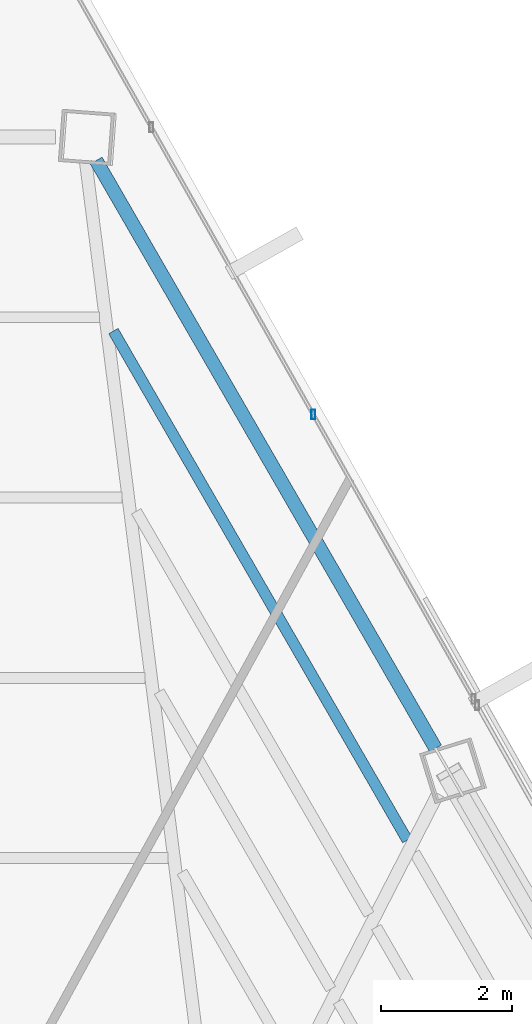
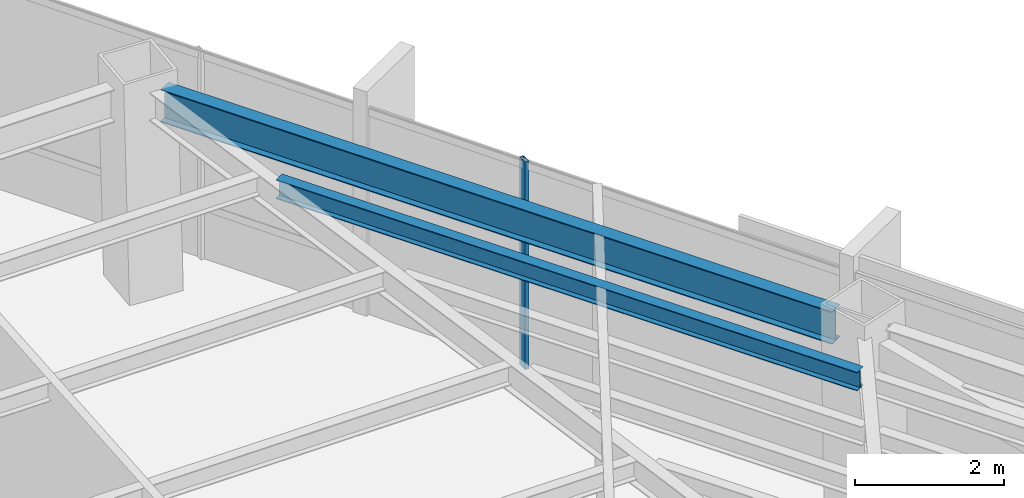
# One storey, part 30 of 42: 2 beams, 1 member, 1 element without a shape of its own.
"""IFC4 building model written with IfcOpenShell, lengths in metres."""

from ifc_helpers import new_model, si_unit, direction, frame, origin, origin_2d, place, context, subcontext, project, spatial, hollow_rectangle, i_section, extrude, source, transform, mapped, material, material_profile, profile_set, type_object, type_shapes, element, aggregate, save


model = new_model("IFC4")

# Units and contexts
model_context = context("Model", 3, precision=1e-05, world=origin(), true_north=direction((0.0, 1.0)))
body_context = subcontext(model_context, "Body", "Model", "MODEL_VIEW")
ifc_project = project(units=[si_unit("LENGTHUNIT", "METRE"), si_unit("AREAUNIT", "SQUARE_METRE"), si_unit("VOLUMEUNIT", "CUBIC_METRE"), si_unit("PLANEANGLEUNIT", "RADIAN"), si_unit("MASSUNIT", "GRAM", prefix="KILO")], contexts=[model_context])

# Site, building, storey
site_placement = place(None, origin())
site = spatial("IfcSite", under=ifc_project, at=site_placement, CompositionType="ELEMENT")
building_placement = place(site_placement, origin())
building = spatial("IfcBuilding", under=site, at=building_placement, Name="Caelisora Broadcast Tower", CompositionType="ELEMENT")
storey_placement = place(building_placement, frame((0.0, 0.0, 187.699951171875)))
storey = spatial("IfcBuildingStorey", under=building, at=storey_placement, Name="L49", CompositionType="ELEMENT", Elevation=187.699951171875)

# Beams
ifc_material_1 = material(Name="Steel Grade 350 (AS/NZS 3679.1)", Category="steel")
ifc_material_profile_1 = material_profile(ifc_material_1, i_section(OverallWidth=0.208984375, OverallDepth=0.532958984375, WebThickness=0.01025390625, FlangeThickness=0.015625, at=origin_2d()), Name="Steel Grade 350 (AS/NZS 3679.1)")
ifc_profile_set_1 = profile_set([ifc_material_profile_1], Name="Steel Grade 350 (AS/NZS 3679.1)")
beam_type_1 = type_object("IfcBeamType", Name="PG05", PredefinedType="BEAM", material=ifc_profile_set_1)
shared_shape_1 = source(origin(), body_context, "Body", "SweptSolid", [
    extrude(i_section(OverallWidth=0.208984375, OverallDepth=0.532958984375, WebThickness=0.01025390625, FlangeThickness=0.015625, at=origin_2d()), origin(), (0.0, 0.0, 1.0), 10.39306640625),
])
type_shapes(beam_type_1, [shared_shape_1])
beam_1_placement = place(storey_placement, frame((48.804443359375, 37.19921875, 3.133544921875), z_axis=(-0.499996963119, 0.866027157121, 0.0), x_axis=(-0.866027157121, -0.499996963119, 0.0)))
element("IfcBeam", 1, at=beam_1_placement, inside=storey, type_object=beam_type_1, Name="L49 beam PG05", PredefinedType="BEAM", context=body_context, shape_type="MappedRepresentation", body=[
    mapped(shared_shape_1, transform((0.0, 0.0, 0.0), scale=1.0)),
])
ifc_material_profile_2 = material_profile(ifc_material_1, i_section(OverallWidth=0.166015625, OverallDepth=0.30712890625, WebThickness=0.006591796875, FlangeThickness=0.01171875, at=origin_2d()), Name="Steel Grade 350 (AS/NZS 3679.1)")
ifc_profile_set_2 = profile_set([ifc_material_profile_2], Name="Steel Grade 350 (AS/NZS 3679.1)")
beam_type_2 = type_object("IfcBeamType", Name="SB03", PredefinedType="JOIST", material=ifc_profile_set_2)
shared_shape_2 = source(origin(), body_context, "Body", "SweptSolid", [
    extrude(i_section(OverallWidth=0.166015625, OverallDepth=0.30712890625, WebThickness=0.006591796875, FlangeThickness=0.01171875, at=origin_2d()), origin(), (0.0, 0.0, 1.0), 9.0),
])
type_shapes(beam_type_2, [shared_shape_2])
beam_2_placement = place(storey_placement, frame((48.371826171875, 35.794921875, 3.246337890625), z_axis=(-0.5000018851, 0.866024315419, 0.0), x_axis=(-0.866024315419, -0.5000018851, 0.0)))
element("IfcBeam", 2, at=beam_2_placement, inside=storey, type_object=beam_type_2, Name="L49 beam SB03", PredefinedType="JOIST", context=body_context, shape_type="MappedRepresentation", body=[
    mapped(shared_shape_2, transform((0.0, 0.0, 0.0), scale=1.0)),
])

# Curtain wall, member
ifc_material_2 = material(Name="Unitised Aluminium and Low-E Glass Curtain Wall", Category="glass")
curtain_wall_type = type_object("IfcCurtainWallType", Name="CW-Z4", PredefinedType="NOTDEFINED", material=ifc_material_2)
curtain_wall_placement = place(storey_placement, origin())
curtain_wall = element("IfcCurtainWall", 3, at=curtain_wall_placement, inside=storey, type_object=curtain_wall_type, Name="L49 curtain wall CW-Z4", PredefinedType="NOTDEFINED")
ifc_material_3 = material(Name="Aluminium 6063-T6 Anodised Terracotta Bronze", Category="aluminium")
ifc_material_profile_3 = material_profile(ifc_material_3, hollow_rectangle(XDim=0.06005859375, YDim=0.14990234375, WallThickness=0.00341796875, at=origin_2d()), Name="Aluminium 6063-T6 Anodised Terracotta Bronze")
ifc_profile_set_3 = profile_set([ifc_material_profile_3], Name="Aluminium 6063-T6 Anodised Terracotta Bronze")
member_type = type_object("IfcMemberType", Name="CWM-03", PredefinedType="MULLION", material=ifc_profile_set_3)
shared_shape_3 = source(origin(), body_context, "Body", "SweptSolid", [
    extrude(hollow_rectangle(XDim=0.06005859375, YDim=0.14990234375, WallThickness=0.00341796875, at=origin_2d()), origin(), (0.0, 0.0, 1.0), 3.400146484375),
])
type_shapes(member_type, [shared_shape_3])
member_placement = place(storey_placement, frame((46.93212890625, 42.310302734375, 0.0), z_axis=(0.0, 0.0, 1.0), x_axis=(1.0, 0.0, 0.0)))
member = element("IfcMember", 4, at=member_placement, type_object=member_type, Name="L49-CW-B01 mullion #2", PredefinedType="MULLION", context=body_context, shape_type="MappedRepresentation", body=[
    mapped(shared_shape_3, transform((0.0, 0.0, 0.0), scale=1.0)),
])
aggregate(curtain_wall, [member])

save(model, "model.ifc")
